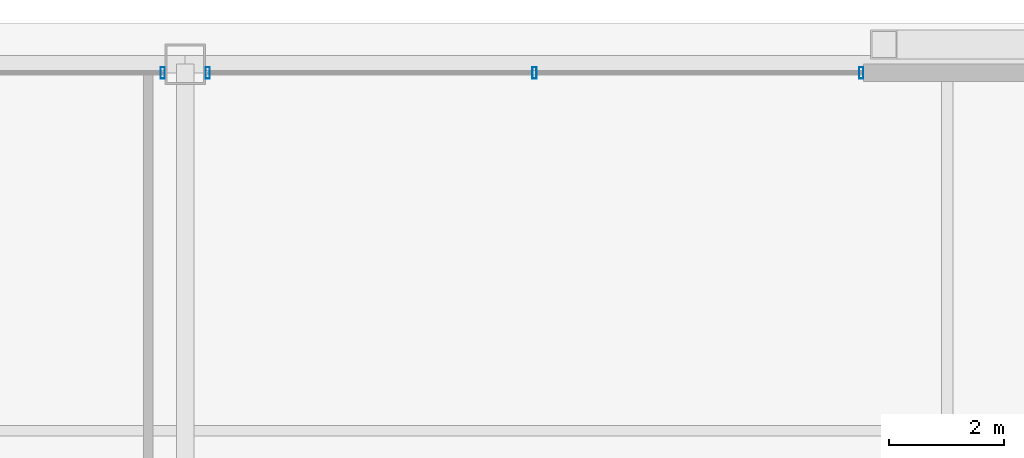
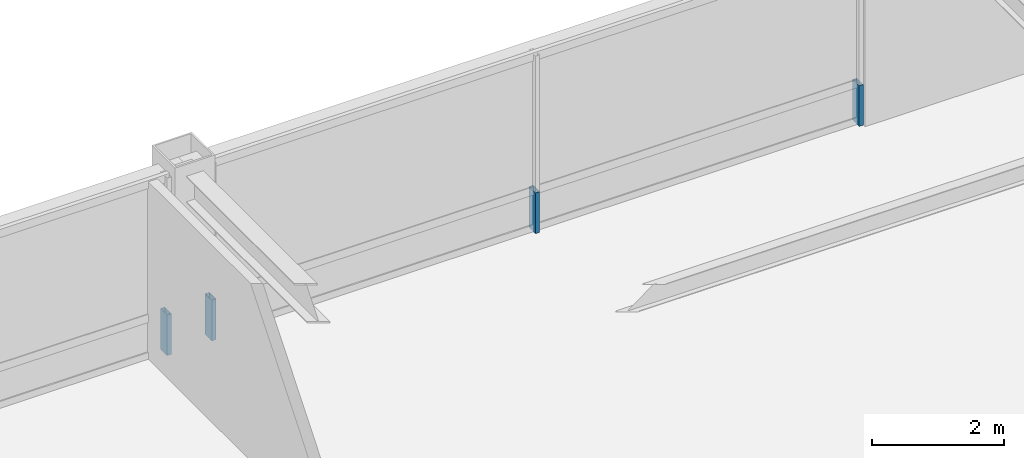
# One storey, part 27 of 34: 4 members, 2 elements without a shape of their own.
"""IFC4 building model written with IfcOpenShell, lengths in metres."""

from ifc_helpers import new_model, si_unit, direction, frame, origin, origin_2d, place, context, subcontext, project, spatial, hollow_rectangle, extrude, source, transform, mapped, material, layer, layer_set, material_profile, profile_set, type_object, element, aggregate, save


model = new_model("IFC4")

# Units and contexts
model_context = context("Model", 3, precision=1e-05, world=origin(), true_north=direction((0.0, 1.0)))
body_context = subcontext(model_context, "Body", "Model", "MODEL_VIEW")
ifc_project = project(units=[si_unit("LENGTHUNIT", "METRE"), si_unit("AREAUNIT", "SQUARE_METRE"), si_unit("VOLUMEUNIT", "CUBIC_METRE"), si_unit("PLANEANGLEUNIT", "RADIAN"), si_unit("MASSUNIT", "GRAM", prefix="KILO"), si_unit("THERMODYNAMICTEMPERATUREUNIT", "KELVIN"), si_unit("POWERUNIT", "WATT")], contexts=[model_context])

# Site, building, storey
site_placement = place(None, origin())
site = spatial("IfcSite", under=ifc_project, at=site_placement, CompositionType="ELEMENT")
building_placement = place(site_placement, origin())
building = spatial("IfcBuilding", under=site, at=building_placement, Name="Yuzanri Waterfront Tower", CompositionType="ELEMENT")
storey_placement = place(building_placement, frame((0.0, 0.0, 328.699951171875)))
storey = spatial("IfcBuildingStorey", under=building, at=storey_placement, Name="L88", CompositionType="ELEMENT", Elevation=328.699951171875)

# Curtain wall, member
ifc_material_1 = material(Name="Anodized Architectural Bronze", Category="metal")
ifc_layer = layer(ifc_material_1, 0.159912109375)
ifc_layer_set = layer_set([ifc_layer], Name="Anodized Architectural Bronze")
curtain_wall_type = type_object("IfcCurtainWallType", Name="Anodized Bronze High-Rise Penthouse High-Wind Unitized Curtain Wall 6900", PredefinedType="NOTDEFINED", material=ifc_layer_set)
curtain_wall_1_placement = place(storey_placement, origin())
curtain_wall_1 = element("IfcCurtainWall", 1, at=curtain_wall_1_placement, inside=storey, type_object=curtain_wall_type, Name="L88 Curtain Wall CW-L88-NL", PredefinedType="NOTDEFINED")
ifc_material_2 = material(Name="Anodized Architectural Bronze", Category="metal")
ifc_material_profile = material_profile(ifc_material_2, hollow_rectangle(XDim=0.074951171875, YDim=0.199951171875, WallThickness=0.00390625, at=origin_2d()), Name="CWM 75x200")
ifc_profile_set = profile_set([ifc_material_profile], Name="Anodized Architectural Bronze")
member_type = type_object("IfcMemberType", Name="Anodized Bronze Primary Curtain-Wall Mullion 75x200", PredefinedType="MULLION", material=ifc_profile_set)
shared_shape = source(origin(), body_context, "Body", "SweptSolid", [
    extrude(hollow_rectangle(XDim=0.074951171875, YDim=0.199951171875, WallThickness=0.00390625, at=origin_2d()), origin(), (0.0, 0.0, 1.0), 0.751953125),
])
member_1_placement = place(storey_placement, frame((36.610107421875, 44.75, 0.0), z_axis=(0.0, 0.0, 1.0), x_axis=(1.0, 0.0, 0.0)))
member_1 = element("IfcMember", 2, at=member_1_placement, type_object=member_type, Name="CW-L88-NL Lower Mullion 02", PredefinedType="MULLION", context=body_context, shape_type="MappedRepresentation", body=[
    mapped(shared_shape, transform((0.0, 0.0, 0.0), scale=1.0)),
])
aggregate(curtain_wall_1, [member_1])

# Curtain wall, members
curtain_wall_2_placement = place(storey_placement, origin())
curtain_wall_2 = element("IfcCurtainWall", 3, at=curtain_wall_2_placement, inside=storey, type_object=curtain_wall_type, Name="L88 Curtain Wall CW-L88-NR", PredefinedType="NOTDEFINED")
member_2_placement = place(storey_placement, frame((37.389892578125, 44.75, 0.0), z_axis=(0.0, 0.0, 1.0), x_axis=(1.0, 0.0, 0.0)))
member_2 = element("IfcMember", 4, at=member_2_placement, type_object=member_type, Name="CW-L88-NR Lower Mullion 00", PredefinedType="MULLION", context=body_context, shape_type="MappedRepresentation", body=[
    mapped(shared_shape, transform((0.0, 0.0, 0.0), scale=1.0)),
])
member_3_placement = place(storey_placement, frame((43.050048828125, 44.75, 0.0), z_axis=(0.0, 0.0, 1.0), x_axis=(1.0, 0.0, 0.0)))
member_3 = element("IfcMember", 5, at=member_3_placement, type_object=member_type, Name="CW-L88-NR Lower Mullion 01", PredefinedType="MULLION", context=body_context, shape_type="MappedRepresentation", body=[
    mapped(shared_shape, transform((0.0, 0.0, 0.0), scale=1.0)),
])
member_4_placement = place(storey_placement, frame((48.7099609375, 44.75, 0.0), z_axis=(0.0, 0.0, 1.0), x_axis=(1.0, 0.0, 0.0)))
member_4 = element("IfcMember", 6, at=member_4_placement, type_object=member_type, Name="CW-L88-NR Lower Mullion 02", PredefinedType="MULLION", context=body_context, shape_type="MappedRepresentation", body=[
    mapped(shared_shape, transform((0.0, 0.0, 0.0), scale=1.0)),
])
aggregate(curtain_wall_2, [member_2, member_3, member_4])

save(model, "model.ifc")
